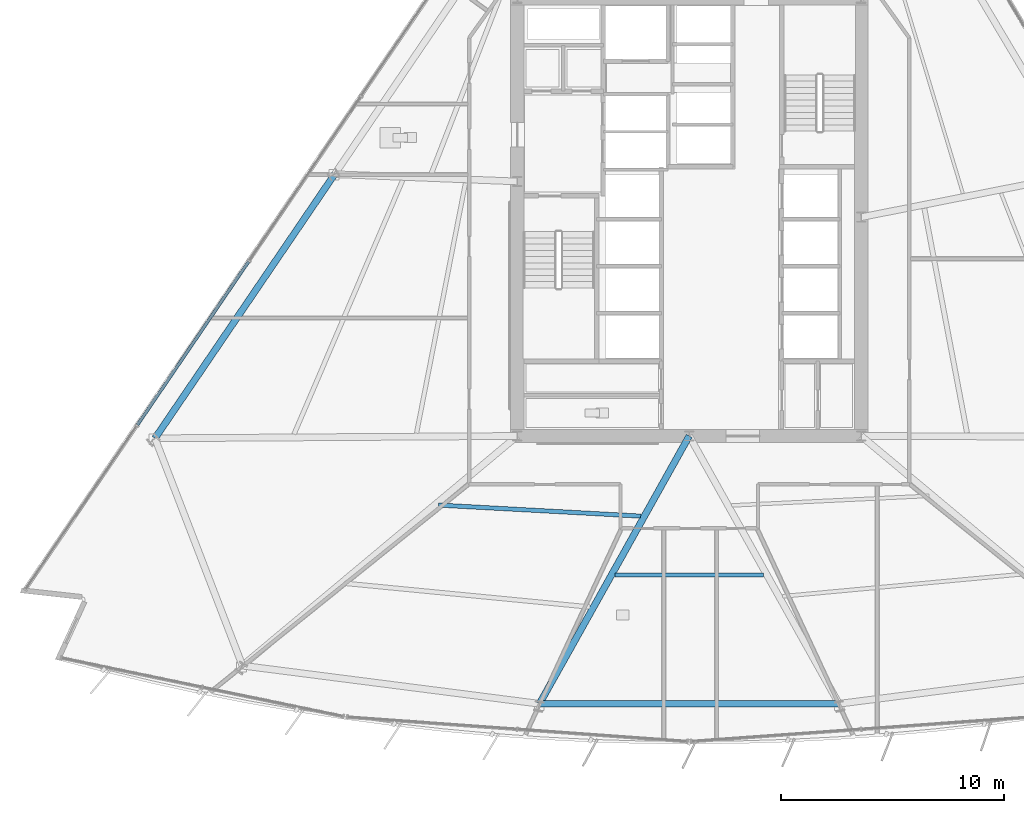
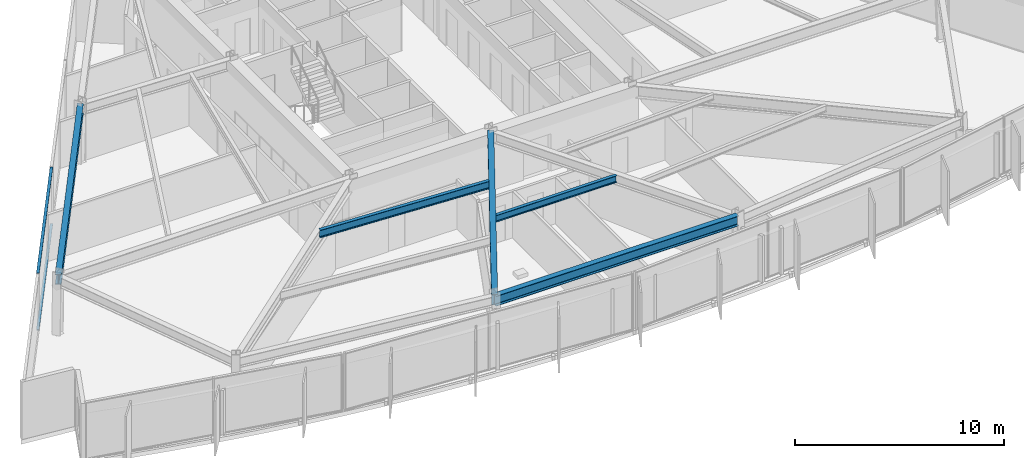
# One storey, part 3 of 18: 5 beams, 2 members, 1 element without a shape of its own.
"""IFC4 building model written with IfcOpenShell, lengths in metres."""

from ifc_helpers import new_model, si_unit, direction, frame, origin, origin_2d, place, context, subcontext, project, spatial, rectangle, i_section, extrude, material, material_profile, profile_set, type_object, element, aggregate, save


model = new_model("IFC4")

# Units and contexts
model_context = context("Model", 3, precision=1e-05, world=origin(), true_north=direction((0.0, 1.0)))
body_context = subcontext(model_context, "Body", "Model", "MODEL_VIEW")
ifc_project = project(units=[si_unit("LENGTHUNIT", "METRE"), si_unit("AREAUNIT", "SQUARE_METRE"), si_unit("VOLUMEUNIT", "CUBIC_METRE"), si_unit("PLANEANGLEUNIT", "RADIAN"), si_unit("MASSUNIT", "GRAM", prefix="KILO")], contexts=[model_context])

# Site, building, storey
site_placement = place(None, origin())
site = spatial("IfcSite", under=ifc_project, at=site_placement, CompositionType="ELEMENT")
building_placement = place(site_placement, origin())
building = spatial("IfcBuilding", under=site, at=building_placement, Name="Savorim Split Tower", CompositionType="ELEMENT")
storey_placement = place(building_placement, frame((0.0, 0.0, 40.800048828125)))
storey = spatial("IfcBuildingStorey", under=building, at=storey_placement, Name="L10", CompositionType="ELEMENT", Elevation=40.800048828125)

# Beams
ifc_material_1 = material(Name="Steel S355", Category="steel")
ifc_material_profile_1 = material_profile(ifc_material_1, i_section(OverallWidth=0.179931640625, OverallDepth=0.39990234375, WebThickness=0.008544921875, FlangeThickness=0.013427734375, FilletRadius=0.02099609375, at=origin_2d()), Name="IPE 400")
ifc_profile_set_1 = profile_set([ifc_material_profile_1], Name="Steel S355")
beam_type_1 = type_object("IfcBeamType", Name="BM-JST-IPE400", PredefinedType="JOIST", material=ifc_profile_set_1)
beam_1_placement = place(storey_placement, frame((-3.32763671875, -15.637451171875, 3.14990234375), z_axis=(1.0, 0.0, 0.0), x_axis=(0.0, 1.0, 0.0)))
element("IfcBeam", 1, at=beam_1_placement, inside=storey, type_object=beam_type_1, Name="L10 Secondary Floor Joist JS-03", PredefinedType="JOIST", context=body_context, shape_type="SweptSolid", body=[
    extrude(i_section(OverallWidth=0.179931640625, OverallDepth=0.39990234375, WebThickness=0.008544921875, FlangeThickness=0.013427734375, FilletRadius=0.02099609375, at=origin_2d()), origin(), (0.0, 0.0, 1.0), 6.6552734375),
])
ifc_material_profile_2 = material_profile(ifc_material_1, i_section(OverallWidth=0.18994140625, OverallDepth=0.449951171875, WebThickness=0.009521484375, FlangeThickness=0.0146484375, FilletRadius=0.02099609375, at=origin_2d()), Name="IPE 450")
ifc_profile_set_2 = profile_set([ifc_material_profile_2], Name="Steel S355")
beam_type_2 = type_object("IfcBeamType", Name="BM-JST-IPE450", PredefinedType="JOIST", material=ifc_profile_set_2)
beam_2_placement = place(storey_placement, frame((-11.233642578125, -12.494873046875, 3.125), z_axis=(0.998512141355, -0.054529841057, 0.0), x_axis=(0.054529841057, 0.998512141355, 0.0)))
element("IfcBeam", 2, at=beam_2_placement, inside=storey, type_object=beam_type_2, Name="L10 Secondary Floor Joist JS-02", PredefinedType="JOIST", context=body_context, shape_type="SweptSolid", body=[
    extrude(i_section(OverallWidth=0.18994140625, OverallDepth=0.449951171875, WebThickness=0.009521484375, FlangeThickness=0.0146484375, FilletRadius=0.02099609375, at=origin_2d()), origin(), (0.0, 0.0, 1.0), 9.0751953125),
])
ifc_material_profile_3 = material_profile(ifc_material_1, i_section(OverallWidth=0.300048828125, OverallDepth=0.60009765625, WebThickness=0.015380859375, FlangeThickness=0.030029296875, FilletRadius=0.027099609375, at=origin_2d()), Name="HEB 600")
ifc_profile_set_3 = profile_set([ifc_material_profile_3], Name="Steel S355")
beam_type_3 = type_object("IfcBeamType", Name="BM-PRI-HEB600", PredefinedType="BEAM", material=ifc_profile_set_3)
beam_3_placement = place(storey_placement, frame((-6.70703125, -21.39501953125, 3.050048828125), z_axis=(0.48803634808, 0.872823305688, 0.0), x_axis=(-0.872823305688, 0.48803634808, 0.0)))
element("IfcBeam", 3, at=beam_3_placement, inside=storey, type_object=beam_type_3, Name="L10 Primary Floor Girder RG-02", PredefinedType="BEAM", context=body_context, shape_type="SweptSolid", body=[
    extrude(i_section(OverallWidth=0.300048828125, OverallDepth=0.60009765625, WebThickness=0.015380859375, FlangeThickness=0.030029296875, FilletRadius=0.027099609375, at=origin_2d()), origin(), (0.0, 0.0, 1.0), 13.742919921875),
])
ifc_material_profile_4 = material_profile(ifc_material_1, i_section(OverallWidth=0.300048828125, OverallDepth=0.590087890625, WebThickness=0.012939453125, FlangeThickness=0.02490234375, FilletRadius=0.027099609375, at=origin_2d()), Name="HEA 600")
ifc_profile_set_4 = profile_set([ifc_material_profile_4], Name="Steel S355")
beam_type_4 = type_object("IfcBeamType", Name="BM-SPN-HEA600", PredefinedType="SPANDREL", material=ifc_profile_set_4)
beam_4_placement = place(storey_placement, frame((-6.70703125, -21.39501953125, 3.054931640625), z_axis=(1.0, 0.0, 0.0), x_axis=(0.0, 1.0, 0.0)))
element("IfcBeam", 4, at=beam_4_placement, inside=storey, type_object=beam_type_4, Name="L10 Perimeter Spandrel Beam 2", PredefinedType="SPANDREL", context=body_context, shape_type="SweptSolid", body=[
    extrude(i_section(OverallWidth=0.300048828125, OverallDepth=0.590087890625, WebThickness=0.012939453125, FlangeThickness=0.02490234375, FilletRadius=0.027099609375, at=origin_2d()), origin(), (0.0, 0.0, 1.0), 13.4140625),
])
beam_5_placement = place(storey_placement, frame((-15.88134765625, 2.32568359375, 3.054931640625), z_axis=(-0.562468699153, -0.826818578936, 0.0), x_axis=(0.826818578936, -0.562468699153, 0.0)))
element("IfcBeam", 5, at=beam_5_placement, inside=storey, type_object=beam_type_4, Name="L10 Perimeter Spandrel Beam 9", PredefinedType="SPANDREL", context=body_context, shape_type="SweptSolid", body=[
    extrude(i_section(OverallWidth=0.300048828125, OverallDepth=0.590087890625, WebThickness=0.012939453125, FlangeThickness=0.02490234375, FilletRadius=0.027099609375, at=origin_2d()), origin(), (0.0, 0.0, 1.0), 14.3076171875),
])

# Curtain wall, members
ifc_material_2 = material(Name="Dark Ceramic-Fritted Insulated Glass", Category="glass")
curtain_wall_type = type_object("IfcCurtainWallType", Name="CW-TWR-FRIT-A", PredefinedType="NOTDEFINED", material=ifc_material_2)
curtain_wall_placement = place(storey_placement, origin())
curtain_wall = element("IfcCurtainWall", 6, at=curtain_wall_placement, inside=storey, type_object=curtain_wall_type, Name="L10 Curtain Wall CW-L10-WEST", PredefinedType="NOTDEFINED")
ifc_material_3 = material(Name="Charcoal Anodised Aluminium", Category="aluminium")
ifc_material_profile_5 = material_profile(ifc_material_3, rectangle(XDim=0.139892578125, YDim=0.054931640625, at=origin_2d()), Name="ALU-T 140x55")
ifc_profile_set_5 = profile_set([ifc_material_profile_5], Name="Charcoal Anodised Aluminium")
member_type = type_object("IfcMemberType", Name="CWT-140x55", PredefinedType="USERDEFINED", material=ifc_profile_set_5)
member_1_placement = place(storey_placement, frame((-19.736328125, -1.5859375, 0.02734375), z_axis=(-0.562463858464, -0.826821871942, 0.0), x_axis=(0.826821871942, -0.562463858464, 0.0)))
member_1 = element("IfcMember", 7, at=member_1_placement, type_object=member_type, Name="CW-02 transom 3.1", ObjectType="TRANSOM", PredefinedType="USERDEFINED", context=body_context, shape_type="SweptSolid", body=[
    extrude(rectangle(XDim=0.139892578125, YDim=0.054931640625, at=origin_2d()), origin(), (0.0, 0.0, 1.0), 8.854736328125),
])
member_2_placement = place(storey_placement, frame((-19.736328125, -1.5859375, 3.322509765625), z_axis=(-0.562463858464, -0.826821871942, 0.0), x_axis=(0.826821871942, -0.562463858464, 0.0)))
member_2 = element("IfcMember", 8, at=member_2_placement, type_object=member_type, Name="CW-02 transom 3.2", ObjectType="TRANSOM", PredefinedType="USERDEFINED", context=body_context, shape_type="SweptSolid", body=[
    extrude(rectangle(XDim=0.139892578125, YDim=0.054931640625, at=origin_2d()), origin(), (0.0, 0.0, 1.0), 8.854736328125),
])
aggregate(curtain_wall, [member_1, member_2])

save(model, "model.ifc")
